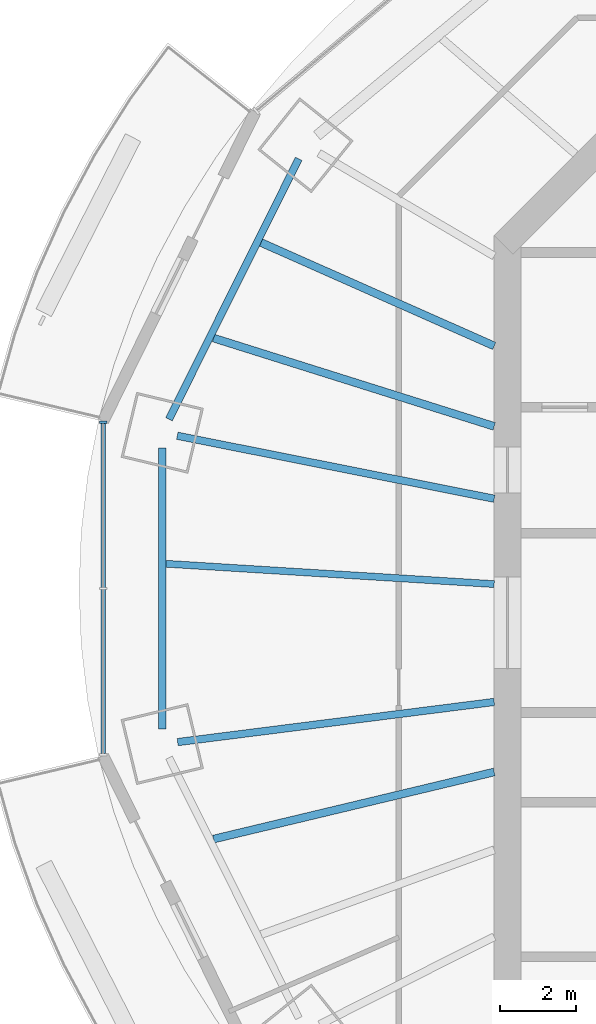
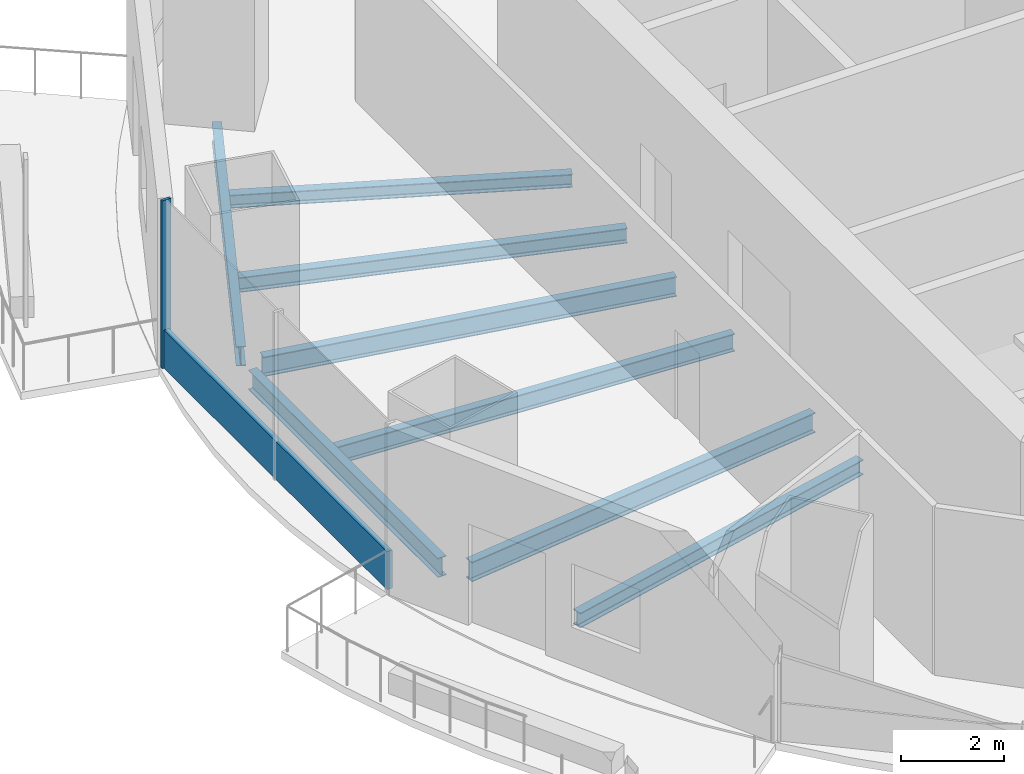
# One storey, part 3 of 16: 8 beams, 2 members, 1 element without a shape of its own.
"""IFC4 building model written with IfcOpenShell, lengths in metres."""

import ifcopenshell
import ifcopenshell.guid

model = None  # the IFC model being written
_history = None  # IfcOwnerHistory: only IFC2X3 demands one
_inside = {}  # id of a spatial element -> (the spatial element, [elements in it])
_under = {}  # id of a project, library or spatial element -> (it, [spatial elements below it])
_declared = {}  # id of a project -> (the project, [libraries it declares])
_typed = {}  # id of a type object -> (the type object, [elements of that type])
_made_of = {}  # id of a material, layer set ... -> (it, [elements and type objects made of it])


def new_model(schema):
    """Start an empty IFC model of exactly this schema.

    Asked for "IFC4X3", IfcOpenShell would pick the latest addendum, in which some entities
    have other attributes; the version numbers below select the first issue.
    IFC2X3 requires an IfcOwnerHistory on every rooted entity: one is made here for all.
    """
    global model, _history
    if schema == "IFC4X3":
        model = ifcopenshell.file(schema_version=(4, 3, 0, 0))
    else:
        model = ifcopenshell.file(schema=schema)
    _inside.clear()
    _under.clear()
    _declared.clear()
    _typed.clear()
    _made_of.clear()
    _history = None
    if model.schema == "IFC2X3":
        org = make("IfcOrganization", Name="unknown")
        user = make(
            "IfcPersonAndOrganization",
            ThePerson=make("IfcPerson", FamilyName="unknown"),
            TheOrganization=org,
        )
        app = make(
            "IfcApplication",
            ApplicationDeveloper=org,
            Version="unknown",
            ApplicationFullName="unknown",
            ApplicationIdentifier="unknown",
        )
        _history = make(
            "IfcOwnerHistory",
            OwningUser=user,
            OwningApplication=app,
            ChangeAction="ADDED",
            CreationDate=0,
        )
    return model


def make(cls, **values):
    """One entity of the class cls with the attributes given. An attribute that is None is left unset."""
    return model.create_entity(
        cls, **{name: value for name, value in values.items() if value is not None}
    )


def rooted(cls, **values):
    """An entity with a GlobalId (a new one), such as an element, a storey or a relation."""
    return make(cls, GlobalId=ifcopenshell.guid.new(), OwnerHistory=_history, **values)


def si_unit(unit_type, name, prefix=None):
    """IfcSIUnit, for example si_unit("LENGTHUNIT", "METRE", prefix="MILLI")."""
    return make("IfcSIUnit", UnitType=unit_type, Prefix=prefix, Name=name)


def assignment(units):
    """IfcUnitAssignment: the units of a project."""
    return None if units is None else make("IfcUnitAssignment", Units=units)


def point(xyz):
    """IfcCartesianPoint."""
    return None if xyz is None else make("IfcCartesianPoint", Coordinates=xyz)


def direction(xyz):
    """IfcDirection."""
    return None if xyz is None else make("IfcDirection", DirectionRatios=xyz)


def frame(location, z_axis=None, x_axis=None):
    """IfcAxis2Placement3D, a coordinate frame: its origin and axes. An axis left out is left unset."""
    return make(
        "IfcAxis2Placement3D",
        Location=point(location),
        Axis=direction(z_axis),
        RefDirection=direction(x_axis),
    )


def frame_2d(location, x_axis=None):
    """IfcAxis2Placement2D, a coordinate frame in the plane: its origin and x axis."""
    return make(
        "IfcAxis2Placement2D", Location=point(location), RefDirection=direction(x_axis)
    )


def origin():
    """The frame at (0, 0, 0) with its axes left unset."""
    return frame((0.0, 0.0, 0.0))


def origin_2d():
    """The frame at (0, 0) in the plane with its x axis left unset."""
    return frame_2d((0.0, 0.0))


def place(relative_to, where):
    """IfcLocalPlacement: puts the frame where relative to a parent placement (None: the world)."""
    return make(
        "IfcLocalPlacement", PlacementRelTo=relative_to, RelativePlacement=where
    )


def context(
    kind, dimensions, precision=None, world=None, true_north=None, identifier=None
):
    """IfcGeometricRepresentationContext, for example the 3D "Model" context."""
    return make(
        "IfcGeometricRepresentationContext",
        ContextIdentifier=identifier,
        ContextType=kind,
        CoordinateSpaceDimension=dimensions,
        Precision=precision,
        WorldCoordinateSystem=world,
        TrueNorth=true_north,
    )


def subcontext(parent, identifier, kind, view, scale=None):
    """IfcGeometricRepresentationSubContext, for example "Body" below "Model"."""
    return make(
        "IfcGeometricRepresentationSubContext",
        ContextIdentifier=identifier,
        ContextType=kind,
        ParentContext=parent,
        TargetScale=scale,
        TargetView=view,
    )


def project(units=None, contexts=None):
    """IfcProject with its units and contexts."""
    return rooted(
        "IfcProject",
        Name="project",
        RepresentationContexts=contexts,
        UnitsInContext=assignment(units),
    )


def spatial(cls, under=None, at=None, **own):
    """A site, building, storey or space (cls), placed at a placement, below another one or the project."""
    s = rooted(cls, ObjectPlacement=at, **own)
    if under is not None:
        _under.setdefault(under.id(), (under, []))[1].append(s)
    return s


def profile(cls, at=None, kind="AREA", **sizes):
    """A parametric profile (cls). Its sizes go by their IFC names, for example OverallWidth=200.0."""
    return make(cls, ProfileType=kind, Position=at, **sizes)


def rectangle(**sizes):
    """IfcRectangleProfileDef."""
    return profile("IfcRectangleProfileDef", **sizes)


def i_section(**sizes):
    """IfcIShapeProfileDef."""
    return profile("IfcIShapeProfileDef", **sizes)


def extrude(swept, where, along, depth):
    """IfcExtrudedAreaSolid: the profile swept, set in the frame where, extruded along a direction by depth."""
    return make(
        "IfcExtrudedAreaSolid",
        SweptArea=swept,
        Position=where,
        ExtrudedDirection=direction(along),
        Depth=depth,
    )


def shape(context_of_items, identifier, shape_type, items):
    """IfcShapeRepresentation: the items that make up one representation, for example the "Body"."""
    return make(
        "IfcShapeRepresentation",
        ContextOfItems=context_of_items,
        RepresentationIdentifier=identifier,
        RepresentationType=shape_type,
        Items=items,
    )


def material(Name=None, Category=None):
    """IfcMaterial."""
    return make("IfcMaterial", Name=Name, Category=Category)


def material_profile(
    of_material, cross_section, Name=None, Category=None, Priority=None
):
    """IfcMaterialProfile: a cross section and its material."""
    return make(
        "IfcMaterialProfile",
        Name=Name,
        Material=of_material,
        Profile=cross_section,
        Priority=Priority,
        Category=Category,
    )


def profile_set(profiles, Name=None, composite=None):
    """IfcMaterialProfileSet."""
    return make(
        "IfcMaterialProfileSet",
        Name=Name,
        MaterialProfiles=profiles,
        CompositeProfile=composite,
    )


def made_of(thing, what):
    """Note that an element or type object is made of a material, layer set ...; save() writes the relation."""
    if what is not None:
        _made_of.setdefault(what.id(), (what, []))[1].append(thing)
    return thing


def type_object(cls, material=None, **own):
    """A type object (cls), such as IfcWallType, which elements share."""
    return made_of(rooted(cls, **own), material)


def element(
    cls,
    number,
    at=None,
    inside=None,
    cuts=None,
    type_object=None,
    material=None,
    context=None,
    identifier="Body",
    shape_type=None,
    held_by="IfcProductDefinitionShape",
    body=None,
    shapes=None,
    **own,
):
    """One element of the class cls, such as IfcWall. Its Tag is "e" and its number.

    at: its placement. inside: the storey or other place that contains it. cuts: it is an
    opening in that element (IfcRelVoidsElement). A single representation is given by context,
    identifier, shape_type and body (its items); several are given by shapes. held_by: the class
    of the entity that holds the representations. save() writes the other relations.
    """
    e = rooted(cls, Tag="e%d" % number, ObjectPlacement=at, **own)
    if body is not None:
        shapes = [shape(context, identifier, shape_type, body)]
    if shapes is not None:
        e.Representation = make(held_by, Representations=shapes)
    if inside is not None:
        _inside.setdefault(inside.id(), (inside, []))[1].append(e)
    if cuts is not None:
        rooted(
            "IfcRelVoidsElement", RelatingBuildingElement=cuts, RelatedOpeningElement=e
        )
    if type_object is not None:
        _typed.setdefault(type_object.id(), (type_object, []))[1].append(e)
    return made_of(e, material)


def aggregate(whole, parts):
    """IfcRelAggregates: a whole, such as a stair, and the parts it consists of."""
    return rooted("IfcRelAggregates", RelatingObject=whole, RelatedObjects=parts)


def save(model, path):
    """Write the relations noted so far, then the file.

    IfcRelAggregates (storeys below a building ...), IfcRelContainedInSpatialStructure (elements
    in a storey), IfcRelDefinesByType, IfcRelAssociatesMaterial and IfcRelDeclares: one each for
    every whole, place, type object, material and project.
    """
    for whole, parts in _under.values():
        aggregate(whole, parts)
    for where, things in _inside.values():
        rooted(
            "IfcRelContainedInSpatialStructure",
            RelatedElements=things,
            RelatingStructure=where,
        )
    for kind, things in _typed.values():
        rooted("IfcRelDefinesByType", RelatedObjects=things, RelatingType=kind)
    for what, things in _made_of.values():
        rooted("IfcRelAssociatesMaterial", RelatedObjects=things, RelatingMaterial=what)
    for by, libraries in _declared.values():
        rooted("IfcRelDeclares", RelatingContext=by, RelatedDefinitions=libraries)
    model.write(path)


model = new_model("IFC4")

# Units and contexts
model_context = context("Model", 3, precision=1e-05, world=origin(), true_north=direction((0.0, 1.0)))
body_context = subcontext(model_context, "Body", "Model", "MODEL_VIEW")
ifc_project = project(units=[si_unit("LENGTHUNIT", "METRE"), si_unit("AREAUNIT", "SQUARE_METRE"), si_unit("VOLUMEUNIT", "CUBIC_METRE"), si_unit("PLANEANGLEUNIT", "RADIAN"), si_unit("MASSUNIT", "GRAM", prefix="KILO")], contexts=[model_context])

# Site, building, storey
site_placement = place(None, origin())
site = spatial("IfcSite", under=ifc_project, at=site_placement, CompositionType="ELEMENT")
building_placement = place(site_placement, origin())
building = spatial("IfcBuilding", under=site, at=building_placement, Name="Marenthal Gate Tower", CompositionType="ELEMENT")
storey_placement = place(building_placement, frame((0.0, 0.0, 350.89990234375)))
storey = spatial("IfcBuildingStorey", under=building, at=storey_placement, Name="L79", CompositionType="ELEMENT", Elevation=350.89990234375)

# Curtain wall, members
ifc_material_1 = material(Name="Aluminium and glass", Category="aluminium")
curtain_wall_type = type_object("IfcCurtainWallType", Name="Curtain wall typical high", PredefinedType="NOTDEFINED", material=ifc_material_1)
curtain_wall_placement = place(storey_placement, origin())
curtain_wall = element("IfcCurtainWall", 1, at=curtain_wall_placement, inside=storey, type_object=curtain_wall_type, Name="Curtain wall L79 bay 8", PredefinedType="NOTDEFINED")
ifc_material_2 = material(Name="Aluminium", Category="aluminium")
ifc_material_profile_1 = material_profile(ifc_material_2, rectangle(XDim=0.199951171875, YDim=0.06005859375, at=origin_2d()), Name="60x200 aluminium mullion")
ifc_profile_set_1 = profile_set([ifc_material_profile_1], Name="Aluminium")
member_type_1 = type_object("IfcMemberType", Name="Mullion 60x200 typical high", PredefinedType="MULLION", material=ifc_profile_set_1)
member_1_placement = place(storey_placement, frame((-26.59375, 5.2548828125, 0.0), z_axis=(0.0, 0.0, 1.0), x_axis=(1.0, 0.0, 0.0)))
member_1 = element("IfcMember", 2, at=member_1_placement, type_object=member_type_1, Name="Mullion L79 bay 8.1", PredefinedType="MULLION", context=body_context, shape_type="SweptSolid", body=[
    extrude(rectangle(XDim=0.199951171875, YDim=0.06005859375, at=origin_2d()), origin(), (0.0, 0.0, 1.0), 3.97021484375),
])
ifc_material_3 = material(Name="Aluminium", Category="aluminium")
ifc_material_profile_2 = material_profile(ifc_material_3, rectangle(XDim=0.1201171875, YDim=0.89990234375, at=origin_2d()), Name="120x900 aluminium transom")
ifc_profile_set_2 = profile_set([ifc_material_profile_2], Name="Aluminium")
member_type_2 = type_object("IfcMemberType", Name="Transom 120x900 typical high", PredefinedType="USERDEFINED", material=ifc_profile_set_2)
member_2_placement = place(storey_placement, frame((-26.59375, 5.224853515625, 0.4501953125), z_axis=(0.0, -1.0, 0.0), x_axis=(1.0, 0.0, 0.0)))
member_2 = element("IfcMember", 3, at=member_2_placement, type_object=member_type_2, Name="Transom L79 bay 8", ObjectType="TRANSOM", PredefinedType="USERDEFINED", context=body_context, shape_type="SweptSolid", body=[
    extrude(rectangle(XDim=0.1201171875, YDim=0.89990234375, at=origin_2d()), origin(), (0.0, 0.0, 1.0), 8.649658203125),
])
aggregate(curtain_wall, [member_1, member_2])

# Beams
ifc_material_4 = material(Name="Steel S355", Category="steel")
ifc_material_profile_3 = material_profile(ifc_material_4, i_section(OverallWidth=0.205078125, OverallDepth=0.31005859375, WebThickness=0.009521484375, FlangeThickness=0.016357421875, FilletRadius=0.0126953125, at=origin_2d()), Name="W310X74")
ifc_profile_set_3 = profile_set([ifc_material_profile_3], Name="Steel S355")
beam_type_1 = type_object("IfcBeamType", Name="W310X74 beam", PredefinedType="BEAM", material=ifc_profile_set_3)
beam_1_placement = place(storey_placement, frame((-22.45556640625, 9.959716796875, -0.3349609375), z_axis=(0.914118784564, -0.405446479462, 0.0), x_axis=(0.405446479462, 0.914118784564, 0.0)))
element("IfcBeam", 4, at=beam_1_placement, inside=storey, type_object=beam_type_1, Name="BM-L79-26", PredefinedType="BEAM", context=body_context, shape_type="SweptSolid", body=[
    extrude(i_section(OverallWidth=0.205078125, OverallDepth=0.31005859375, WebThickness=0.009521484375, FlangeThickness=0.016357421875, FilletRadius=0.0126953125, at=origin_2d()), origin(), (0.0, 0.0, 1.0), 6.678955078125),
])
ifc_material_5 = material(Name="Steel S355", Category="steel")
ifc_material_profile_4 = material_profile(ifc_material_5, i_section(OverallWidth=0.205078125, OverallDepth=0.35302734375, WebThickness=0.009521484375, FlangeThickness=0.016845703125, FilletRadius=0.014892578125, at=origin_2d()), Name="W360X79")
ifc_profile_set_4 = profile_set([ifc_material_profile_4], Name="Steel S355")
beam_type_2 = type_object("IfcBeamType", Name="W360X79 beam", PredefinedType="BEAM", material=ifc_profile_set_4)
beam_2_placement = place(storey_placement, frame((-23.701416015625, 7.45849609375, -0.3564453125), z_axis=(0.953879995414, -0.300188198218, 0.0), x_axis=(0.300188198218, 0.953879995414, 0.0)))
element("IfcBeam", 5, at=beam_2_placement, inside=storey, type_object=beam_type_2, Name="BM-L79-27", PredefinedType="BEAM", context=body_context, shape_type="SweptSolid", body=[
    extrude(i_section(OverallWidth=0.205078125, OverallDepth=0.35302734375, WebThickness=0.009521484375, FlangeThickness=0.016845703125, FilletRadius=0.014892578125, at=origin_2d()), origin(), (0.0, 0.0, 1.0), 7.706787109375),
])
beam_3_placement = place(storey_placement, frame((-23.6982421875, -5.664794921875, -0.3564453125), z_axis=(0.972596050115, 0.232501447956, 0.0), x_axis=(-0.232501447956, 0.972596050115, 0.0)))
element("IfcBeam", 6, at=beam_3_placement, inside=storey, type_object=beam_type_2, Name="BM-L79-29", PredefinedType="BEAM", context=body_context, shape_type="SweptSolid", body=[
    extrude(i_section(OverallWidth=0.205078125, OverallDepth=0.35302734375, WebThickness=0.009521484375, FlangeThickness=0.016845703125, FilletRadius=0.014892578125, at=origin_2d()), origin(), (0.0, 0.0, 1.0), 7.55517578125),
])
ifc_material_6 = material(Name="Steel S355", Category="steel")
ifc_material_profile_5 = material_profile(ifc_material_6, i_section(OverallWidth=0.180908203125, OverallDepth=0.4169921875, WebThickness=0.010986328125, FlangeThickness=0.018310546875, FilletRadius=0.01025390625, at=origin_2d()), Name="W410X85")
ifc_profile_set_5 = profile_set([ifc_material_profile_5], Name="Steel S355")
beam_type_3 = type_object("IfcBeamType", Name="W410X85 beam", PredefinedType="BEAM", material=ifc_profile_set_5)
beam_4_placement = place(storey_placement, frame((-24.94873046875, 1.54638671875, -0.388427734375), z_axis=(0.998084643441, -0.061863111205, 0.0), x_axis=(0.061863111205, 0.998084643441, 0.0)))
element("IfcBeam", 7, at=beam_4_placement, inside=storey, type_object=beam_type_3, Name="BM-L79-28", PredefinedType="BEAM", context=body_context, shape_type="SweptSolid", body=[
    extrude(i_section(OverallWidth=0.180908203125, OverallDepth=0.4169921875, WebThickness=0.010986328125, FlangeThickness=0.018310546875, FilletRadius=0.01025390625, at=origin_2d()), origin(), (0.0, 0.0, 1.0), 8.615234375),
])
ifc_material_7 = material(Name="Steel S355", Category="steel")
ifc_material_profile_6 = material_profile(ifc_material_7, i_section(OverallWidth=0.19091796875, OverallDepth=0.45703125, WebThickness=0.009033203125, FlangeThickness=0.014404296875, FilletRadius=0.01025390625, at=origin_2d()), Name="W460X74")
ifc_profile_set_6 = profile_set([ifc_material_profile_6], Name="Steel S355")
beam_type_4 = type_object("IfcBeamType", Name="W460X74 beam", PredefinedType="BEAM", material=ifc_profile_set_6)
beam_5_placement = place(storey_placement, frame((-21.46875, 12.155029296875, -0.408447265625), z_axis=(-0.445842036963, -0.895111656765, 0.0), x_axis=(0.895111656765, -0.445842036963, 0.0)))
element("IfcBeam", 8, at=beam_5_placement, inside=storey, type_object=beam_type_4, Name="BM-L79-46", PredefinedType="BEAM", context=body_context, shape_type="SweptSolid", body=[
    extrude(i_section(OverallWidth=0.19091796875, OverallDepth=0.45703125, WebThickness=0.009033203125, FlangeThickness=0.014404296875, FilletRadius=0.01025390625, at=origin_2d()), origin(), (0.0, 0.0, 1.0), 7.621337890625),
])
beam_6_placement = place(storey_placement, frame((-25.044189453125, 4.576904296875, -0.408447265625), z_axis=(0.0, -1.0, 0.0), x_axis=(1.0, 0.0, 0.0)))
element("IfcBeam", 9, at=beam_6_placement, inside=storey, type_object=beam_type_4, Name="BM-L79-47", PredefinedType="BEAM", context=body_context, shape_type="SweptSolid", body=[
    extrude(i_section(OverallWidth=0.19091796875, OverallDepth=0.45703125, WebThickness=0.009033203125, FlangeThickness=0.014404296875, FilletRadius=0.01025390625, at=origin_2d()), origin(), (0.0, 0.0, 1.0), 7.353759765625),
])
ifc_material_8 = material(Name="Steel S355", Category="steel")
ifc_material_profile_7 = material_profile(ifc_material_8, i_section(OverallWidth=0.193115234375, OverallDepth=0.467041015625, WebThickness=0.011474609375, FlangeThickness=0.01904296875, FilletRadius=0.010009765625, at=origin_2d()), Name="W460X97")
ifc_profile_set_7 = profile_set([ifc_material_profile_7], Name="Steel S355")
beam_type_5 = type_object("IfcBeamType", Name="W460X97 beam", PredefinedType="BEAM", material=ifc_profile_set_7)
beam_7_placement = place(storey_placement, frame((-24.651123046875, 4.8984375, -0.413330078125), z_axis=(0.98082510834, -0.194889986528, 0.0), x_axis=(0.194889986528, 0.98082510834, 0.0)))
element("IfcBeam", 10, at=beam_7_placement, inside=storey, type_object=beam_type_5, Name="BM-L79-08", PredefinedType="BEAM", context=body_context, shape_type="SweptSolid", body=[
    extrude(i_section(OverallWidth=0.193115234375, OverallDepth=0.467041015625, WebThickness=0.011474609375, FlangeThickness=0.01904296875, FilletRadius=0.010009765625, at=origin_2d()), origin(), (0.0, 0.0, 1.0), 8.46337890625),
])
beam_8_placement = place(storey_placement, frame((-24.64208984375, -3.12548828125, -0.413330078125), z_axis=(0.992051564732, 0.125832002734, 0.0), x_axis=(-0.125832002734, 0.992051564732, 0.0)))
element("IfcBeam", 11, at=beam_8_placement, inside=storey, type_object=beam_type_5, Name="BM-L79-09", PredefinedType="BEAM", context=body_context, shape_type="SweptSolid", body=[
    extrude(i_section(OverallWidth=0.193115234375, OverallDepth=0.467041015625, WebThickness=0.011474609375, FlangeThickness=0.01904296875, FilletRadius=0.010009765625, at=origin_2d()), origin(), (0.0, 0.0, 1.0), 8.3583984375),
])

save(model, "model.ifc")
